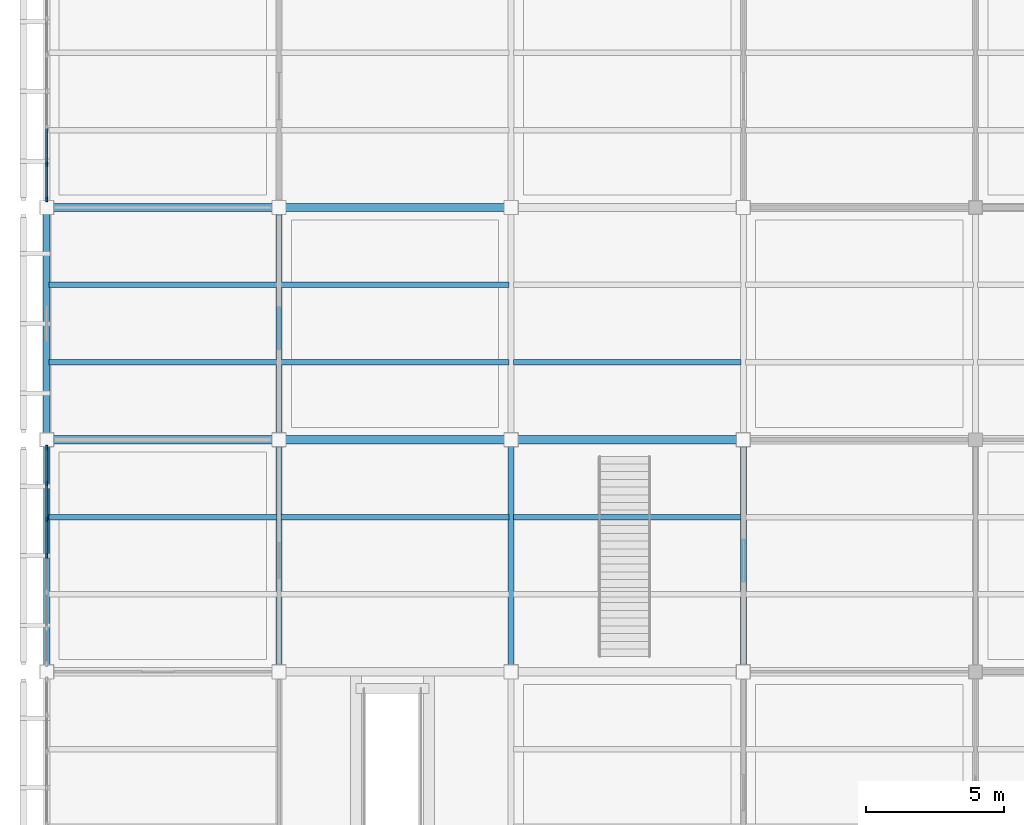
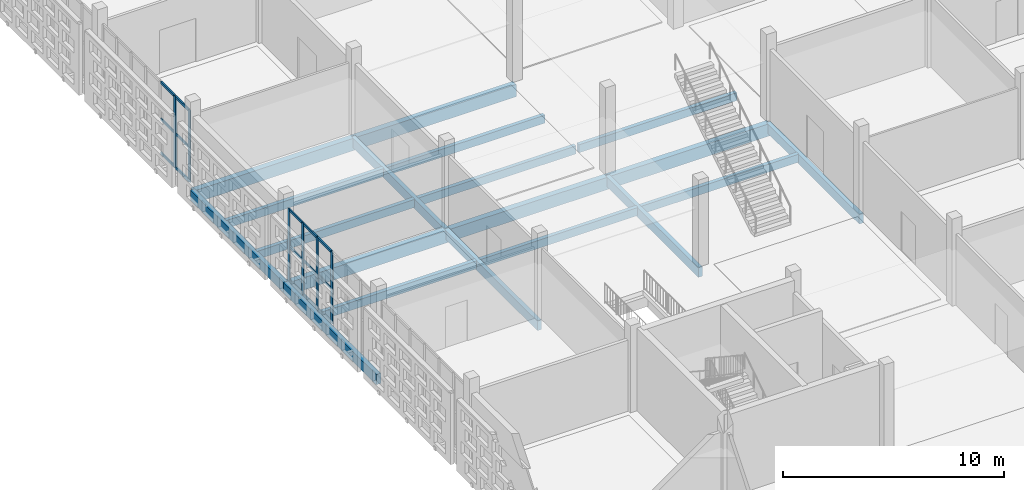
# One storey, part 40 of 203: 21 members, 19 beams, 2 elements without a shape of their own.
"""IFC4 building model written with IfcOpenShell, lengths in metres."""

import ifcopenshell
import ifcopenshell.guid

model = None  # the IFC model being written
_history = None  # IfcOwnerHistory: only IFC2X3 demands one
_inside = {}  # id of a spatial element -> (the spatial element, [elements in it])
_under = {}  # id of a project, library or spatial element -> (it, [spatial elements below it])
_declared = {}  # id of a project -> (the project, [libraries it declares])
_typed = {}  # id of a type object -> (the type object, [elements of that type])
_made_of = {}  # id of a material, layer set ... -> (it, [elements and type objects made of it])


def new_model(schema):
    """Start an empty IFC model of exactly this schema.

    Asked for "IFC4X3", IfcOpenShell would pick the latest addendum, in which some entities
    have other attributes; the version numbers below select the first issue.
    IFC2X3 requires an IfcOwnerHistory on every rooted entity: one is made here for all.
    """
    global model, _history
    if schema == "IFC4X3":
        model = ifcopenshell.file(schema_version=(4, 3, 0, 0))
    else:
        model = ifcopenshell.file(schema=schema)
    _inside.clear()
    _under.clear()
    _declared.clear()
    _typed.clear()
    _made_of.clear()
    _history = None
    if model.schema == "IFC2X3":
        org = make("IfcOrganization", Name="unknown")
        user = make(
            "IfcPersonAndOrganization",
            ThePerson=make("IfcPerson", FamilyName="unknown"),
            TheOrganization=org,
        )
        app = make(
            "IfcApplication",
            ApplicationDeveloper=org,
            Version="unknown",
            ApplicationFullName="unknown",
            ApplicationIdentifier="unknown",
        )
        _history = make(
            "IfcOwnerHistory",
            OwningUser=user,
            OwningApplication=app,
            ChangeAction="ADDED",
            CreationDate=0,
        )
    return model


def make(cls, **values):
    """One entity of the class cls with the attributes given. An attribute that is None is left unset."""
    return model.create_entity(
        cls, **{name: value for name, value in values.items() if value is not None}
    )


def rooted(cls, **values):
    """An entity with a GlobalId (a new one), such as an element, a storey or a relation."""
    return make(cls, GlobalId=ifcopenshell.guid.new(), OwnerHistory=_history, **values)


def si_unit(unit_type, name, prefix=None):
    """IfcSIUnit, for example si_unit("LENGTHUNIT", "METRE", prefix="MILLI")."""
    return make("IfcSIUnit", UnitType=unit_type, Prefix=prefix, Name=name)


def assignment(units):
    """IfcUnitAssignment: the units of a project."""
    return None if units is None else make("IfcUnitAssignment", Units=units)


def point(xyz):
    """IfcCartesianPoint."""
    return None if xyz is None else make("IfcCartesianPoint", Coordinates=xyz)


def direction(xyz):
    """IfcDirection."""
    return None if xyz is None else make("IfcDirection", DirectionRatios=xyz)


def frame(location, z_axis=None, x_axis=None):
    """IfcAxis2Placement3D, a coordinate frame: its origin and axes. An axis left out is left unset."""
    return make(
        "IfcAxis2Placement3D",
        Location=point(location),
        Axis=direction(z_axis),
        RefDirection=direction(x_axis),
    )


def frame_2d(location, x_axis=None):
    """IfcAxis2Placement2D, a coordinate frame in the plane: its origin and x axis."""
    return make(
        "IfcAxis2Placement2D", Location=point(location), RefDirection=direction(x_axis)
    )


def origin():
    """The frame at (0, 0, 0) with its axes left unset."""
    return frame((0.0, 0.0, 0.0))


def origin_2d():
    """The frame at (0, 0) in the plane with its x axis left unset."""
    return frame_2d((0.0, 0.0))


def place(relative_to, where):
    """IfcLocalPlacement: puts the frame where relative to a parent placement (None: the world)."""
    return make(
        "IfcLocalPlacement", PlacementRelTo=relative_to, RelativePlacement=where
    )


def context(
    kind, dimensions, precision=None, world=None, true_north=None, identifier=None
):
    """IfcGeometricRepresentationContext, for example the 3D "Model" context."""
    return make(
        "IfcGeometricRepresentationContext",
        ContextIdentifier=identifier,
        ContextType=kind,
        CoordinateSpaceDimension=dimensions,
        Precision=precision,
        WorldCoordinateSystem=world,
        TrueNorth=true_north,
    )


def subcontext(parent, identifier, kind, view, scale=None):
    """IfcGeometricRepresentationSubContext, for example "Body" below "Model"."""
    return make(
        "IfcGeometricRepresentationSubContext",
        ContextIdentifier=identifier,
        ContextType=kind,
        ParentContext=parent,
        TargetScale=scale,
        TargetView=view,
    )


def project(units=None, contexts=None):
    """IfcProject with its units and contexts."""
    return rooted(
        "IfcProject",
        Name="project",
        RepresentationContexts=contexts,
        UnitsInContext=assignment(units),
    )


def spatial(cls, under=None, at=None, **own):
    """A site, building, storey or space (cls), placed at a placement, below another one or the project."""
    s = rooted(cls, ObjectPlacement=at, **own)
    if under is not None:
        _under.setdefault(under.id(), (under, []))[1].append(s)
    return s


def profile(cls, at=None, kind="AREA", **sizes):
    """A parametric profile (cls). Its sizes go by their IFC names, for example OverallWidth=200.0."""
    return make(cls, ProfileType=kind, Position=at, **sizes)


def rectangle(**sizes):
    """IfcRectangleProfileDef."""
    return profile("IfcRectangleProfileDef", **sizes)


def extrude(swept, where, along, depth):
    """IfcExtrudedAreaSolid: the profile swept, set in the frame where, extruded along a direction by depth."""
    return make(
        "IfcExtrudedAreaSolid",
        SweptArea=swept,
        Position=where,
        ExtrudedDirection=direction(along),
        Depth=depth,
    )


def shape(context_of_items, identifier, shape_type, items):
    """IfcShapeRepresentation: the items that make up one representation, for example the "Body"."""
    return make(
        "IfcShapeRepresentation",
        ContextOfItems=context_of_items,
        RepresentationIdentifier=identifier,
        RepresentationType=shape_type,
        Items=items,
    )


def material(Name=None, Category=None):
    """IfcMaterial."""
    return make("IfcMaterial", Name=Name, Category=Category)


def layer(
    of_material, thickness, ventilated=None, Name=None, Category=None, Priority=None
):
    """IfcMaterialLayer: one layer of a wall or slab, of a material (None: an air gap)."""
    return make(
        "IfcMaterialLayer",
        Material=of_material,
        LayerThickness=thickness,
        IsVentilated=ventilated,
        Name=Name,
        Category=Category,
        Priority=Priority,
    )


def layer_set(layers, Name=None):
    """IfcMaterialLayerSet."""
    return make("IfcMaterialLayerSet", MaterialLayers=layers, LayerSetName=Name)


def material_profile(
    of_material, cross_section, Name=None, Category=None, Priority=None
):
    """IfcMaterialProfile: a cross section and its material."""
    return make(
        "IfcMaterialProfile",
        Name=Name,
        Material=of_material,
        Profile=cross_section,
        Priority=Priority,
        Category=Category,
    )


def profile_set(profiles, Name=None, composite=None):
    """IfcMaterialProfileSet."""
    return make(
        "IfcMaterialProfileSet",
        Name=Name,
        MaterialProfiles=profiles,
        CompositeProfile=composite,
    )


def made_of(thing, what):
    """Note that an element or type object is made of a material, layer set ...; save() writes the relation."""
    if what is not None:
        _made_of.setdefault(what.id(), (what, []))[1].append(thing)
    return thing


def type_object(cls, material=None, **own):
    """A type object (cls), such as IfcWallType, which elements share."""
    return made_of(rooted(cls, **own), material)


def element(
    cls,
    number,
    at=None,
    inside=None,
    cuts=None,
    type_object=None,
    material=None,
    context=None,
    identifier="Body",
    shape_type=None,
    held_by="IfcProductDefinitionShape",
    body=None,
    shapes=None,
    **own,
):
    """One element of the class cls, such as IfcWall. Its Tag is "e" and its number.

    at: its placement. inside: the storey or other place that contains it. cuts: it is an
    opening in that element (IfcRelVoidsElement). A single representation is given by context,
    identifier, shape_type and body (its items); several are given by shapes. held_by: the class
    of the entity that holds the representations. save() writes the other relations.
    """
    e = rooted(cls, Tag="e%d" % number, ObjectPlacement=at, **own)
    if body is not None:
        shapes = [shape(context, identifier, shape_type, body)]
    if shapes is not None:
        e.Representation = make(held_by, Representations=shapes)
    if inside is not None:
        _inside.setdefault(inside.id(), (inside, []))[1].append(e)
    if cuts is not None:
        rooted(
            "IfcRelVoidsElement", RelatingBuildingElement=cuts, RelatedOpeningElement=e
        )
    if type_object is not None:
        _typed.setdefault(type_object.id(), (type_object, []))[1].append(e)
    return made_of(e, material)


def aggregate(whole, parts):
    """IfcRelAggregates: a whole, such as a stair, and the parts it consists of."""
    return rooted("IfcRelAggregates", RelatingObject=whole, RelatedObjects=parts)


def save(model, path):
    """Write the relations noted so far, then the file.

    IfcRelAggregates (storeys below a building ...), IfcRelContainedInSpatialStructure (elements
    in a storey), IfcRelDefinesByType, IfcRelAssociatesMaterial and IfcRelDeclares: one each for
    every whole, place, type object, material and project.
    """
    for whole, parts in _under.values():
        aggregate(whole, parts)
    for where, things in _inside.values():
        rooted(
            "IfcRelContainedInSpatialStructure",
            RelatedElements=things,
            RelatingStructure=where,
        )
    for kind, things in _typed.values():
        rooted("IfcRelDefinesByType", RelatedObjects=things, RelatingType=kind)
    for what, things in _made_of.values():
        rooted("IfcRelAssociatesMaterial", RelatedObjects=things, RelatingMaterial=what)
    for by, libraries in _declared.values():
        rooted("IfcRelDeclares", RelatingContext=by, RelatedDefinitions=libraries)
    model.write(path)


model = new_model("IFC4")

# Units and contexts
model_context = context("Model", 3, precision=1e-05, world=origin(), true_north=direction((0.0, 1.0)))
body_context = subcontext(model_context, "Body", "Model", "MODEL_VIEW")
ifc_project = project(units=[si_unit("LENGTHUNIT", "METRE"), si_unit("AREAUNIT", "SQUARE_METRE"), si_unit("VOLUMEUNIT", "CUBIC_METRE"), si_unit("PLANEANGLEUNIT", "RADIAN"), si_unit("MASSUNIT", "GRAM", prefix="KILO")], contexts=[model_context])

# Site, building, storey
site_placement = place(None, origin())
site = spatial("IfcSite", under=ifc_project, at=site_placement, CompositionType="ELEMENT")
building_placement = place(site_placement, origin())
building = spatial("IfcBuilding", under=site, at=building_placement, Name="Varnapada Polytechnic", CompositionType="ELEMENT")
storey_placement = place(building_placement, frame((0.0, 0.0, 4.800048828125)))
storey = spatial("IfcBuildingStorey", under=building, at=storey_placement, Name="L01", CompositionType="ELEMENT", Elevation=4.800048828125)

# Beams
ifc_material_1 = material(Name="Glulam GL32h", Category="wood")
ifc_material_profile_1 = material_profile(ifc_material_1, rectangle(XDim=0.199951171875, YDim=0.43994140625, at=origin_2d()), Name="GL 200x440")
ifc_profile_set_1 = profile_set([ifc_material_profile_1], Name="Glulam GL32h")
beam_type_1 = type_object("IfcBeamType", Name="Heavy laboratory glulam joist GJ-03 (GL 200x440)", PredefinedType="JOIST", material=ifc_profile_set_1)
for number, where, z_axis, x_axis, name in (
    (1, (0.080078125, 81.199951171875, -0.469970703125), (1.0, 0.0, 0.0), (0.0, 1.0, 0.0), "L01 floor joist 1/10.2"),
    (2, (0.080078125, 86.800048828125, -0.469970703125), (1.0, 0.0, 0.0), (0.0, 1.0, 0.0), "L01 floor joist 1/11.1"),
    (3, (0.080078125, 89.60009765625, -0.469970703125), (1.0, 0.0, 0.0), (0.0, 1.0, 0.0), "L01 floor joist 1/11.2"),
    (4, (8.47998046875, 81.199951171875, -0.469970703125), (1.0, 0.0, 0.0), (0.0, 1.0, 0.0), "L01 floor joist 2/10.2"),
    (5, (8.47998046875, 86.800048828125, -0.469970703125), (1.0, 0.0, 0.0), (0.0, 1.0, 0.0), "L01 floor joist 2/11.1"),
    (6, (8.47998046875, 89.60009765625, -0.469970703125), (1.0, 0.0, 0.0), (0.0, 1.0, 0.0), "L01 floor joist 2/11.2"),
):
    element("IfcBeam", number, at=place(storey_placement, frame(where, z_axis=z_axis, x_axis=x_axis)), inside=storey, type_object=beam_type_1, Name=name, PredefinedType="JOIST", context=body_context, shape_type="SweptSolid", body=[
        extrude(rectangle(XDim=0.199951171875, YDim=0.43994140625, at=origin_2d()), origin(), (0.0, 0.0, 1.0), 8.239990234375),
    ])
for number, where, z_axis, x_axis, name in (
    (7, (16.8798828125, 81.199951171875, -0.469970703125), (1.0, 0.0, 0.0), (0.0, 1.0, 0.0), "L01 floor joist 3/10.2"),
    (8, (16.8798828125, 86.800048828125, -0.469970703125), (1.0, 0.0, 0.0), (0.0, 1.0, 0.0), "L01 floor joist 3/11.1"),
):
    element("IfcBeam", number, at=place(storey_placement, frame(where, z_axis=z_axis, x_axis=x_axis)), inside=storey, type_object=beam_type_1, Name=name, PredefinedType="JOIST", context=body_context, shape_type="SweptSolid", body=[
        extrude(rectangle(XDim=0.199951171875, YDim=0.43994140625, at=origin_2d()), origin(), (0.0, 0.0, 1.0), 8.240234375),
    ])
ifc_material_profile_2 = material_profile(ifc_material_1, rectangle(XDim=0.219970703125, YDim=0.52001953125, at=origin_2d()), Name="GL 220x520")
ifc_profile_set_2 = profile_set([ifc_material_profile_2], Name="Glulam GL32h")
beam_type_2 = type_object("IfcBeamType", Name="Laboratory transverse glulam beam GB-12 (GL 220x520)", PredefinedType="BEAM", material=ifc_profile_set_2)
for number, where, z_axis, x_axis, name in (
    (9, (8.39990234375, 75.60009765625, -0.510009765625), (0.0, 1.0, 0.0), (-1.0, 0.0, 0.0), "L01 beam Y 10-11 at X2"),
    (10, (8.39990234375, 84.0, -0.510009765625), (0.0, 1.0, 0.0), (-1.0, 0.0, 0.0), "L01 beam Y 11-12 at X2"),
    (11, (16.800048828125, 75.60009765625, -0.510009765625), (0.0, 1.0, 0.0), (-1.0, 0.0, 0.0), "L01 beam Y 10-11 at X3"),
    (12, (25.199951171875, 75.60009765625, -0.510009765625), (0.0, 1.0, 0.0), (-1.0, 0.0, 0.0), "L01 beam Y 10-11 at X4"),
):
    element("IfcBeam", number, at=place(storey_placement, frame(where, z_axis=z_axis, x_axis=x_axis)), inside=storey, type_object=beam_type_2, Name=name, PredefinedType="BEAM", context=body_context, shape_type="SweptSolid", body=[
        extrude(rectangle(XDim=0.219970703125, YDim=0.52001953125, at=origin_2d()), origin(), (0.0, 0.0, 1.0), 8.39990234375),
    ])

# Curtain wall, members
ifc_material_2 = material(Name="Double low-E laminated glass", Category="glass")
ifc_layer = layer(ifc_material_2, 0.179931640625)
ifc_layer_set = layer_set([ifc_layer], Name="Double low-E laminated glass")
curtain_wall_type = type_object("IfcCurtainWallType", Name="Curtain Wall CW-03", PredefinedType="NOTDEFINED", material=ifc_layer_set)
curtain_wall_1_placement = place(storey_placement, origin())
curtain_wall_1 = element("IfcCurtainWall", 13, at=curtain_wall_1_placement, inside=storey, type_object=curtain_wall_type, Name="L01 unitised curtain wall CW-03 (23)", PredefinedType="NOTDEFINED")
ifc_material_3 = material(Name="Anodised aluminium", Category="aluminium")
ifc_material_profile_3 = material_profile(ifc_material_3, rectangle(XDim=0.06494140625, YDim=0.179931640625, at=origin_2d()), Name="ALU M65x180")
ifc_profile_set_3 = profile_set([ifc_material_profile_3], Name="Anodised aluminium")
member_type_1 = type_object("IfcMemberType", Name="Mullion M-02", PredefinedType="MULLION", material=ifc_profile_set_3)
member_1_placement = place(storey_placement, frame((0.0, 79.800048828125, 0.0), z_axis=(0.0, 0.0, 1.0), x_axis=(-1.0, 0.0, 0.0)))
member_1 = element("IfcMember", 14, at=member_1_placement, type_object=member_type_1, Name="CW-03 mullion 4", PredefinedType="MULLION", context=body_context, shape_type="SweptSolid", body=[
    extrude(rectangle(XDim=0.06494140625, YDim=0.179931640625, at=origin_2d()), origin(), (0.0, 0.0, 1.0), 3.9599609375),
])
member_2_placement = place(storey_placement, frame((0.0, 81.11328125, 0.0), z_axis=(0.0, 0.0, 1.0), x_axis=(-1.0, 0.0, 0.0)))
member_2 = element("IfcMember", 15, at=member_2_placement, type_object=member_type_1, Name="CW-03 mullion 5", PredefinedType="MULLION", context=body_context, shape_type="SweptSolid", body=[
    extrude(rectangle(XDim=0.06494140625, YDim=0.179931640625, at=origin_2d()), origin(), (0.0, 0.0, 1.0), 3.9599609375),
])
member_3_placement = place(storey_placement, frame((0.0, 82.4267578125, 0.0), z_axis=(0.0, 0.0, 1.0), x_axis=(-1.0, 0.0, 0.0)))
member_3 = element("IfcMember", 16, at=member_3_placement, type_object=member_type_1, Name="CW-03 mullion 6", PredefinedType="MULLION", context=body_context, shape_type="SweptSolid", body=[
    extrude(rectangle(XDim=0.06494140625, YDim=0.179931640625, at=origin_2d()), origin(), (0.0, 0.0, 1.0), 3.9599609375),
])
member_4_placement = place(storey_placement, frame((0.0, 83.70751953125, 0.0), z_axis=(0.0, 0.0, 1.0), x_axis=(-1.0, 0.0, 0.0)))
member_4 = element("IfcMember", 17, at=member_4_placement, type_object=member_type_1, Name="CW-03 mullion 7", PredefinedType="MULLION", context=body_context, shape_type="SweptSolid", body=[
    extrude(rectangle(XDim=0.06494140625, YDim=0.179931640625, at=origin_2d()), origin(), (0.0, 0.0, 1.0), 3.9599609375),
])

curtain_wall_2_placement = place(storey_placement, origin())
curtain_wall_2 = element("IfcCurtainWall", 18, at=curtain_wall_2_placement, inside=storey, type_object=curtain_wall_type, Name="L01 unitised curtain wall CW-03 (24)", PredefinedType="NOTDEFINED")
member_5_placement = place(storey_placement, frame((0.0, 92.6923828125, 0.0), z_axis=(0.0, 0.0, 1.0), x_axis=(-1.0, 0.0, 0.0)))
member_5 = element("IfcMember", 19, at=member_5_placement, type_object=member_type_1, Name="CW-03 mullion 1", PredefinedType="MULLION", context=body_context, shape_type="SweptSolid", body=[
    extrude(rectangle(XDim=0.06494140625, YDim=0.179931640625, at=origin_2d()), origin(), (0.0, 0.0, 1.0), 3.9599609375),
])
member_6_placement = place(storey_placement, frame((0.0, 93.973388671875, 0.0), z_axis=(0.0, 0.0, 1.0), x_axis=(-1.0, 0.0, 0.0)))
member_6 = element("IfcMember", 20, at=member_6_placement, type_object=member_type_1, Name="CW-03 mullion 2", PredefinedType="MULLION", context=body_context, shape_type="SweptSolid", body=[
    extrude(rectangle(XDim=0.06494140625, YDim=0.179931640625, at=origin_2d()), origin(), (0.0, 0.0, 1.0), 3.9599609375),
])

# Beams
ifc_material_profile_4 = material_profile(ifc_material_1, rectangle(XDim=0.239990234375, YDim=0.56005859375, at=origin_2d()), Name="GL 240x560")
ifc_profile_set_4 = profile_set([ifc_material_profile_4], Name="Glulam GL32h")
beam_type_3 = type_object("IfcBeamType", Name="Perimeter glulam spandrel beam SP-02 (GL 240x560)", PredefinedType="SPANDREL", material=ifc_profile_set_4)
for number, where, z_axis, x_axis, name in (
    (21, (0.0, 75.60009765625, -0.530029296875), (0.0, 1.0, 0.0), (-1.0, 0.0, 0.0), "L01 beam Y 10-11 at X1"),
    (22, (0.0, 84.0, -0.530029296875), (0.0, 1.0, 0.0), (-1.0, 0.0, 0.0), "L01 beam Y 11-12 at X1"),
):
    element("IfcBeam", number, at=place(storey_placement, frame(where, z_axis=z_axis, x_axis=x_axis)), inside=storey, type_object=beam_type_3, Name=name, PredefinedType="SPANDREL", context=body_context, shape_type="SweptSolid", body=[
        extrude(rectangle(XDim=0.239990234375, YDim=0.56005859375, at=origin_2d()), origin(), (0.0, 0.0, 1.0), 8.39990234375),
    ])

# Member
ifc_material_profile_5 = material_profile(ifc_material_3, rectangle(XDim=0.06494140625, YDim=0.139892578125, at=origin_2d()), Name="ALU T65x140")
ifc_profile_set_5 = profile_set([ifc_material_profile_5], Name="Anodised aluminium")
member_type_2 = type_object("IfcMemberType", Name="Transom T-02", PredefinedType="USERDEFINED", material=ifc_profile_set_5)
member_7_placement = place(storey_placement, frame((0.0, 79.83251953125, 0.032470703125), z_axis=(0.0, 1.0, 0.0), x_axis=(-1.0, 0.0, 0.0)))
member_7 = element("IfcMember", 23, at=member_7_placement, type_object=member_type_2, Name="CW-03 transom 4.1", ObjectType="TRANSOM", PredefinedType="USERDEFINED", context=body_context, shape_type="SweptSolid", body=[
    extrude(rectangle(XDim=0.06494140625, YDim=0.139892578125, at=origin_2d()), origin(), (0.0, 0.0, 1.0), 1.248291015625),
])

member_8_placement = place(storey_placement, frame((0.0, 79.83251953125, 1.900634765625), z_axis=(0.0, 1.0, 0.0), x_axis=(-1.0, 0.0, 0.0)))
member_8 = element("IfcMember", 24, at=member_8_placement, type_object=member_type_2, Name="CW-03 transom 4.2", ObjectType="TRANSOM", PredefinedType="USERDEFINED", context=body_context, shape_type="SweptSolid", body=[
    extrude(rectangle(XDim=0.06494140625, YDim=0.139892578125, at=origin_2d()), origin(), (0.0, 0.0, 1.0), 1.248291015625),
])

member_9_placement = place(storey_placement, frame((0.0, 79.83251953125, 3.927490234375), z_axis=(0.0, 1.0, 0.0), x_axis=(-1.0, 0.0, 0.0)))
member_9 = element("IfcMember", 25, at=member_9_placement, type_object=member_type_2, Name="CW-03 transom 4.3", ObjectType="TRANSOM", PredefinedType="USERDEFINED", context=body_context, shape_type="SweptSolid", body=[
    extrude(rectangle(XDim=0.06494140625, YDim=0.139892578125, at=origin_2d()), origin(), (0.0, 0.0, 1.0), 1.248291015625),
])

member_10_placement = place(storey_placement, frame((0.0, 81.145751953125, 0.032470703125), z_axis=(0.0, 1.0, 0.0), x_axis=(-1.0, 0.0, 0.0)))
member_10 = element("IfcMember", 26, at=member_10_placement, type_object=member_type_2, Name="CW-03 transom 5.1", ObjectType="TRANSOM", PredefinedType="USERDEFINED", context=body_context, shape_type="SweptSolid", body=[
    extrude(rectangle(XDim=0.06494140625, YDim=0.139892578125, at=origin_2d()), origin(), (0.0, 0.0, 1.0), 1.24853515625),
])

member_11_placement = place(storey_placement, frame((0.0, 81.145751953125, 1.900634765625), z_axis=(0.0, 1.0, 0.0), x_axis=(-1.0, 0.0, 0.0)))
member_11 = element("IfcMember", 27, at=member_11_placement, type_object=member_type_2, Name="CW-03 transom 5.2", ObjectType="TRANSOM", PredefinedType="USERDEFINED", context=body_context, shape_type="SweptSolid", body=[
    extrude(rectangle(XDim=0.06494140625, YDim=0.139892578125, at=origin_2d()), origin(), (0.0, 0.0, 1.0), 1.24853515625),
])

member_12_placement = place(storey_placement, frame((0.0, 81.145751953125, 3.927490234375), z_axis=(0.0, 1.0, 0.0), x_axis=(-1.0, 0.0, 0.0)))
member_12 = element("IfcMember", 28, at=member_12_placement, type_object=member_type_2, Name="CW-03 transom 5.3", ObjectType="TRANSOM", PredefinedType="USERDEFINED", context=body_context, shape_type="SweptSolid", body=[
    extrude(rectangle(XDim=0.06494140625, YDim=0.139892578125, at=origin_2d()), origin(), (0.0, 0.0, 1.0), 1.24853515625),
])

member_13_placement = place(storey_placement, frame((0.0, 82.459228515625, 0.032470703125), z_axis=(0.0, 1.0, 0.0), x_axis=(-1.0, 0.0, 0.0)))
member_13 = element("IfcMember", 29, at=member_13_placement, type_object=member_type_2, Name="CW-03 transom 6.1", ObjectType="TRANSOM", PredefinedType="USERDEFINED", context=body_context, shape_type="SweptSolid", body=[
    extrude(rectangle(XDim=0.06494140625, YDim=0.139892578125, at=origin_2d()), origin(), (0.0, 0.0, 1.0), 1.2158203125),
])

member_14_placement = place(storey_placement, frame((0.0, 82.459228515625, 1.900634765625), z_axis=(0.0, 1.0, 0.0), x_axis=(-1.0, 0.0, 0.0)))
member_14 = element("IfcMember", 30, at=member_14_placement, type_object=member_type_2, Name="CW-03 transom 6.2", ObjectType="TRANSOM", PredefinedType="USERDEFINED", context=body_context, shape_type="SweptSolid", body=[
    extrude(rectangle(XDim=0.06494140625, YDim=0.139892578125, at=origin_2d()), origin(), (0.0, 0.0, 1.0), 1.2158203125),
])

member_15_placement = place(storey_placement, frame((0.0, 82.459228515625, 3.927490234375), z_axis=(0.0, 1.0, 0.0), x_axis=(-1.0, 0.0, 0.0)))
member_15 = element("IfcMember", 31, at=member_15_placement, type_object=member_type_2, Name="CW-03 transom 6.3", ObjectType="TRANSOM", PredefinedType="USERDEFINED", context=body_context, shape_type="SweptSolid", body=[
    extrude(rectangle(XDim=0.06494140625, YDim=0.139892578125, at=origin_2d()), origin(), (0.0, 0.0, 1.0), 1.2158203125),
])

aggregate(curtain_wall_1, [member_1, member_2, member_3, member_4, member_7, member_8, member_9, member_10, member_11, member_12, member_13, member_14, member_15])

member_16_placement = place(storey_placement, frame((0.0, 92.72509765625, 0.032470703125), z_axis=(0.0, 1.0, 0.0), x_axis=(-1.0, 0.0, 0.0)))
member_16 = element("IfcMember", 32, at=member_16_placement, type_object=member_type_2, Name="CW-03 transom 1.1", ObjectType="TRANSOM", PredefinedType="USERDEFINED", context=body_context, shape_type="SweptSolid", body=[
    extrude(rectangle(XDim=0.06494140625, YDim=0.139892578125, at=origin_2d()), origin(), (0.0, 0.0, 1.0), 1.2158203125),
])

member_17_placement = place(storey_placement, frame((0.0, 92.72509765625, 1.900634765625), z_axis=(0.0, 1.0, 0.0), x_axis=(-1.0, 0.0, 0.0)))
member_17 = element("IfcMember", 33, at=member_17_placement, type_object=member_type_2, Name="CW-03 transom 1.2", ObjectType="TRANSOM", PredefinedType="USERDEFINED", context=body_context, shape_type="SweptSolid", body=[
    extrude(rectangle(XDim=0.06494140625, YDim=0.139892578125, at=origin_2d()), origin(), (0.0, 0.0, 1.0), 1.2158203125),
])

member_18_placement = place(storey_placement, frame((0.0, 92.72509765625, 3.927490234375), z_axis=(0.0, 1.0, 0.0), x_axis=(-1.0, 0.0, 0.0)))
member_18 = element("IfcMember", 34, at=member_18_placement, type_object=member_type_2, Name="CW-03 transom 1.3", ObjectType="TRANSOM", PredefinedType="USERDEFINED", context=body_context, shape_type="SweptSolid", body=[
    extrude(rectangle(XDim=0.06494140625, YDim=0.139892578125, at=origin_2d()), origin(), (0.0, 0.0, 1.0), 1.2158203125),
])

member_19_placement = place(storey_placement, frame((0.0, 94.005859375, 0.032470703125), z_axis=(0.0, 1.0, 0.0), x_axis=(-1.0, 0.0, 0.0)))
member_19 = element("IfcMember", 35, at=member_19_placement, type_object=member_type_2, Name="CW-03 transom 2.1", ObjectType="TRANSOM", PredefinedType="USERDEFINED", context=body_context, shape_type="SweptSolid", body=[
    extrude(rectangle(XDim=0.06494140625, YDim=0.139892578125, at=origin_2d()), origin(), (0.0, 0.0, 1.0), 1.248291015625),
])

member_20_placement = place(storey_placement, frame((0.0, 94.005859375, 1.900634765625), z_axis=(0.0, 1.0, 0.0), x_axis=(-1.0, 0.0, 0.0)))
member_20 = element("IfcMember", 36, at=member_20_placement, type_object=member_type_2, Name="CW-03 transom 2.2", ObjectType="TRANSOM", PredefinedType="USERDEFINED", context=body_context, shape_type="SweptSolid", body=[
    extrude(rectangle(XDim=0.06494140625, YDim=0.139892578125, at=origin_2d()), origin(), (0.0, 0.0, 1.0), 1.248291015625),
])

member_21_placement = place(storey_placement, frame((0.0, 94.005859375, 3.927490234375), z_axis=(0.0, 1.0, 0.0), x_axis=(-1.0, 0.0, 0.0)))
member_21 = element("IfcMember", 37, at=member_21_placement, type_object=member_type_2, Name="CW-03 transom 2.3", ObjectType="TRANSOM", PredefinedType="USERDEFINED", context=body_context, shape_type="SweptSolid", body=[
    extrude(rectangle(XDim=0.06494140625, YDim=0.139892578125, at=origin_2d()), origin(), (0.0, 0.0, 1.0), 1.248291015625),
])

aggregate(curtain_wall_2, [member_5, member_6, member_16, member_17, member_18, member_19, member_20, member_21])

# Beams
ifc_material_profile_6 = material_profile(ifc_material_1, rectangle(XDim=0.300048828125, YDim=0.679931640625, at=origin_2d()), Name="GL 300x680")
ifc_profile_set_6 = profile_set([ifc_material_profile_6], Name="Glulam GL32h")
beam_type_4 = type_object("IfcBeamType", Name="Wet laboratory glulam girder GG-04 (GL 300x680)", PredefinedType="BEAM", material=ifc_profile_set_6)
for number, where, z_axis, x_axis, name in (
    (38, (0.0, 84.0, -0.590087890625), (1.0, 0.0, 0.0), (0.0, 1.0, 0.0), "L01 beam X 1-2 at Y11"),
    (39, (0.0, 92.39990234375, -0.590087890625), (1.0, 0.0, 0.0), (0.0, 1.0, 0.0), "L01 beam X 1-2 at Y12"),
):
    element("IfcBeam", number, at=place(storey_placement, frame(where, z_axis=z_axis, x_axis=x_axis)), inside=storey, type_object=beam_type_4, Name=name, PredefinedType="BEAM", context=body_context, shape_type="SweptSolid", body=[
        extrude(rectangle(XDim=0.300048828125, YDim=0.679931640625, at=origin_2d()), origin(), (0.0, 0.0, 1.0), 8.39990234375),
    ])
for number, where, z_axis, x_axis, name in (
    (40, (8.39990234375, 84.0, -0.590087890625), (1.0, 0.0, 0.0), (0.0, 1.0, 0.0), "L01 beam X 2-3 at Y11"),
    (41, (8.39990234375, 92.39990234375, -0.590087890625), (1.0, 0.0, 0.0), (0.0, 1.0, 0.0), "L01 beam X 2-3 at Y12"),
):
    element("IfcBeam", number, at=place(storey_placement, frame(where, z_axis=z_axis, x_axis=x_axis)), inside=storey, type_object=beam_type_4, Name=name, PredefinedType="BEAM", context=body_context, shape_type="SweptSolid", body=[
        extrude(rectangle(XDim=0.300048828125, YDim=0.679931640625, at=origin_2d()), origin(), (0.0, 0.0, 1.0), 8.400146484375),
    ])
beam_placement = place(storey_placement, frame((16.800048828125, 84.0, -0.590087890625), z_axis=(1.0, 0.0, 0.0), x_axis=(0.0, 1.0, 0.0)))
element("IfcBeam", 42, at=beam_placement, inside=storey, type_object=beam_type_4, Name="L01 beam X 3-4 at Y11", PredefinedType="BEAM", context=body_context, shape_type="SweptSolid", body=[
    extrude(rectangle(XDim=0.300048828125, YDim=0.679931640625, at=origin_2d()), origin(), (0.0, 0.0, 1.0), 8.39990234375),
])

save(model, "model.ifc")
